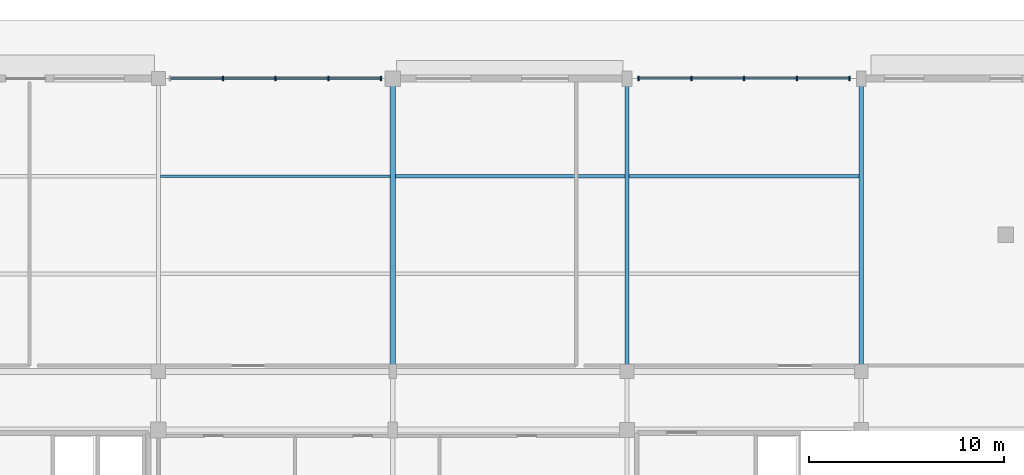
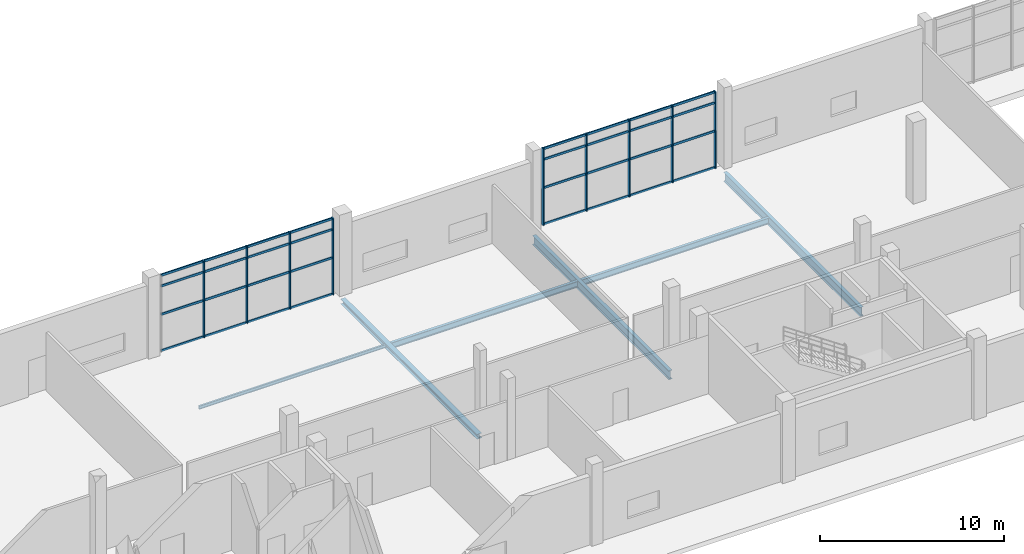
# One storey, part 43 of 85: 41 members, 6 beams, 2 elements without a shape of their own.
"""IFC4 building model written with IfcOpenShell, lengths in metres."""

from ifc_helpers import new_model, si_unit, direction, frame, origin, origin_2d, place, context, subcontext, project, spatial, rectangle, i_section, extrude, material, material_profile, profile_set, type_object, element, aggregate, save


model = new_model("IFC4")

# Units and contexts
model_context = context("Model", 3, precision=1e-05, world=origin(), true_north=direction((0.0, 1.0)))
body_context = subcontext(model_context, "Body", "Model", "MODEL_VIEW")
ifc_project = project(units=[si_unit("LENGTHUNIT", "METRE"), si_unit("AREAUNIT", "SQUARE_METRE"), si_unit("VOLUMEUNIT", "CUBIC_METRE"), si_unit("PLANEANGLEUNIT", "RADIAN"), si_unit("MASSUNIT", "GRAM", prefix="KILO"), si_unit("THERMODYNAMICTEMPERATUREUNIT", "KELVIN"), si_unit("POWERUNIT", "WATT")], contexts=[model_context])

# Site, building, storey
site_placement = place(None, origin())
site = spatial("IfcSite", under=ifc_project, at=site_placement, CompositionType="ELEMENT")
building_placement = place(site_placement, origin())
building = spatial("IfcBuilding", under=site, at=building_placement, Name="Solmara Park Aquatics Centre", CompositionType="ELEMENT")
storey_placement = place(building_placement, origin())
storey = spatial("IfcBuildingStorey", under=building, at=storey_placement, Name="L00", CompositionType="ELEMENT", Elevation=0.0)

# Curtain wall, members
ifc_material_1 = material(Name="Anodised Aluminium Curtain Wall Framing", Category="aluminium")
curtain_wall_type = type_object("IfcCurtainWallType", Name="ARC-CW-SYS04", PredefinedType="USERDEFINED", material=ifc_material_1)
curtain_wall_1_placement = place(storey_placement, origin())
curtain_wall_1 = element("IfcCurtainWall", 1, at=curtain_wall_1_placement, inside=storey, type_object=curtain_wall_type, Name="Curtain Wall CW-111", ObjectType="CURTAIN WALL", PredefinedType="USERDEFINED")
ifc_material_2 = material(Name="Anodised Aluminium Alloy 6063-T6", Category="aluminium")
ifc_material_profile_1 = material_profile(ifc_material_2, rectangle(XDim=0.074951171875, YDim=0.219970703125, at=origin_2d()), Name="ALU MULLION 75x220")
ifc_profile_set_1 = profile_set([ifc_material_profile_1], Name="Anodised Aluminium Alloy 6063-T6")
member_type_1 = type_object("IfcMemberType", Name="ARC-CWM-75x220", PredefinedType="MULLION", material=ifc_profile_set_1)
member_1_placement = place(storey_placement, frame((63.89990234375, 136.0, 0.0), z_axis=(0.0, 0.0, 1.0), x_axis=(1.0, 0.0, 0.0)))
member_1 = element("IfcMember", 2, at=member_1_placement, type_object=member_type_1, Name="CW-111 mullion 2", PredefinedType="MULLION", context=body_context, shape_type="SweptSolid", body=[
    extrude(rectangle(XDim=0.074951171875, YDim=0.219970703125, at=origin_2d()), origin(), (0.0, 0.0, 1.0), 5.080078125),
])
member_2_placement = place(storey_placement, frame((66.60009765625, 136.0, 0.0), z_axis=(0.0, 0.0, 1.0), x_axis=(1.0, 0.0, 0.0)))
member_2 = element("IfcMember", 3, at=member_2_placement, type_object=member_type_1, Name="CW-111 mullion 3", PredefinedType="MULLION", context=body_context, shape_type="SweptSolid", body=[
    extrude(rectangle(XDim=0.074951171875, YDim=0.219970703125, at=origin_2d()), origin(), (0.0, 0.0, 1.0), 5.080078125),
])
member_3_placement = place(storey_placement, frame((69.300048828125, 136.0, 0.0), z_axis=(0.0, 0.0, 1.0), x_axis=(1.0, 0.0, 0.0)))
member_3 = element("IfcMember", 4, at=member_3_placement, type_object=member_type_1, Name="CW-111 mullion 4", PredefinedType="MULLION", context=body_context, shape_type="SweptSolid", body=[
    extrude(rectangle(XDim=0.074951171875, YDim=0.219970703125, at=origin_2d()), origin(), (0.0, 0.0, 1.0), 5.080078125),
])
member_4_placement = place(storey_placement, frame((72.0, 136.0, 0.0), z_axis=(0.0, 0.0, 1.0), x_axis=(1.0, 0.0, 0.0)))
member_4 = element("IfcMember", 5, at=member_4_placement, type_object=member_type_1, Name="CW-111 mullion 5", PredefinedType="MULLION", context=body_context, shape_type="SweptSolid", body=[
    extrude(rectangle(XDim=0.074951171875, YDim=0.219970703125, at=origin_2d()), origin(), (0.0, 0.0, 1.0), 5.080078125),
])

curtain_wall_2_placement = place(storey_placement, origin())
curtain_wall_2 = element("IfcCurtainWall", 6, at=curtain_wall_2_placement, inside=storey, type_object=curtain_wall_type, Name="Curtain Wall CW-112", ObjectType="CURTAIN WALL", PredefinedType="USERDEFINED")
member_5_placement = place(storey_placement, frame((85.199951171875, 136.0, 0.0), z_axis=(0.0, 0.0, 1.0), x_axis=(1.0, 0.0, 0.0)))
member_5 = element("IfcMember", 7, at=member_5_placement, type_object=member_type_1, Name="CW-112 mullion 1", PredefinedType="MULLION", context=body_context, shape_type="SweptSolid", body=[
    extrude(rectangle(XDim=0.074951171875, YDim=0.219970703125, at=origin_2d()), origin(), (0.0, 0.0, 1.0), 5.080078125),
])
member_6_placement = place(storey_placement, frame((87.89990234375, 136.0, 0.0), z_axis=(0.0, 0.0, 1.0), x_axis=(1.0, 0.0, 0.0)))
member_6 = element("IfcMember", 8, at=member_6_placement, type_object=member_type_1, Name="CW-112 mullion 2", PredefinedType="MULLION", context=body_context, shape_type="SweptSolid", body=[
    extrude(rectangle(XDim=0.074951171875, YDim=0.219970703125, at=origin_2d()), origin(), (0.0, 0.0, 1.0), 5.080078125),
])
member_7_placement = place(storey_placement, frame((90.60009765625, 136.0, 0.0), z_axis=(0.0, 0.0, 1.0), x_axis=(1.0, 0.0, 0.0)))
member_7 = element("IfcMember", 9, at=member_7_placement, type_object=member_type_1, Name="CW-112 mullion 3", PredefinedType="MULLION", context=body_context, shape_type="SweptSolid", body=[
    extrude(rectangle(XDim=0.074951171875, YDim=0.219970703125, at=origin_2d()), origin(), (0.0, 0.0, 1.0), 5.080078125),
])
member_8_placement = place(storey_placement, frame((93.300048828125, 136.0, 0.0), z_axis=(0.0, 0.0, 1.0), x_axis=(1.0, 0.0, 0.0)))
member_8 = element("IfcMember", 10, at=member_8_placement, type_object=member_type_1, Name="CW-112 mullion 4", PredefinedType="MULLION", context=body_context, shape_type="SweptSolid", body=[
    extrude(rectangle(XDim=0.074951171875, YDim=0.219970703125, at=origin_2d()), origin(), (0.0, 0.0, 1.0), 5.080078125),
])
member_9_placement = place(storey_placement, frame((96.0, 136.0, 0.0), z_axis=(0.0, 0.0, 1.0), x_axis=(1.0, 0.0, 0.0)))
member_9 = element("IfcMember", 11, at=member_9_placement, type_object=member_type_1, Name="CW-112 mullion 5", PredefinedType="MULLION", context=body_context, shape_type="SweptSolid", body=[
    extrude(rectangle(XDim=0.074951171875, YDim=0.219970703125, at=origin_2d()), origin(), (0.0, 0.0, 1.0), 5.080078125),
])

# Member
ifc_material_profile_2 = material_profile(ifc_material_2, rectangle(XDim=0.074951171875, YDim=0.14990234375, at=origin_2d()), Name="ALU TRANSOM 75x150")
ifc_profile_set_2 = profile_set([ifc_material_profile_2], Name="Anodised Aluminium Alloy 6063-T6")
member_type_2 = type_object("IfcMemberType", Name="ARC-CWT-75x150", PredefinedType="USERDEFINED", material=ifc_profile_set_2)
member_10_placement = place(storey_placement, frame((61.219970703125, 136.0, 0.0400390625), z_axis=(1.0, 0.0, 0.0), x_axis=(0.0, 1.0, 0.0)))
member_10 = element("IfcMember", 12, at=member_10_placement, type_object=member_type_2, Name="CW-111 transom 1", ObjectType="TRANSOM", PredefinedType="USERDEFINED", context=body_context, shape_type="SweptSolid", body=[
    extrude(rectangle(XDim=0.074951171875, YDim=0.14990234375, at=origin_2d()), origin(), (0.0, 0.0, 1.0), 2.6201171875),
])

member_11_placement = place(storey_placement, frame((61.219970703125, 136.0, 2.449951171875), z_axis=(1.0, 0.0, 0.0), x_axis=(0.0, 1.0, 0.0)))
member_11 = element("IfcMember", 13, at=member_11_placement, type_object=member_type_2, Name="CW-111 transom 2", ObjectType="TRANSOM", PredefinedType="USERDEFINED", context=body_context, shape_type="SweptSolid", body=[
    extrude(rectangle(XDim=0.074951171875, YDim=0.14990234375, at=origin_2d()), origin(), (0.0, 0.0, 1.0), 2.6201171875),
])

member_12_placement = place(storey_placement, frame((61.219970703125, 136.0, 4.330078125), z_axis=(1.0, 0.0, 0.0), x_axis=(0.0, 1.0, 0.0)))
member_12 = element("IfcMember", 14, at=member_12_placement, type_object=member_type_2, Name="CW-111 transom 3", ObjectType="TRANSOM", PredefinedType="USERDEFINED", context=body_context, shape_type="SweptSolid", body=[
    extrude(rectangle(XDim=0.074951171875, YDim=0.14990234375, at=origin_2d()), origin(), (0.0, 0.0, 1.0), 2.6201171875),
])

member_13_placement = place(storey_placement, frame((61.219970703125, 136.0, 5.0400390625), z_axis=(1.0, 0.0, 0.0), x_axis=(0.0, 1.0, 0.0)))
member_13 = element("IfcMember", 15, at=member_13_placement, type_object=member_type_2, Name="CW-111 transom 4", ObjectType="TRANSOM", PredefinedType="USERDEFINED", context=body_context, shape_type="SweptSolid", body=[
    extrude(rectangle(XDim=0.074951171875, YDim=0.14990234375, at=origin_2d()), origin(), (0.0, 0.0, 1.0), 2.6201171875),
])

member_14_placement = place(storey_placement, frame((63.919921875, 136.0, 0.0400390625), z_axis=(1.0, 0.0, 0.0), x_axis=(0.0, 1.0, 0.0)))
member_14 = element("IfcMember", 16, at=member_14_placement, type_object=member_type_2, Name="CW-111 transom 5", ObjectType="TRANSOM", PredefinedType="USERDEFINED", context=body_context, shape_type="SweptSolid", body=[
    extrude(rectangle(XDim=0.074951171875, YDim=0.14990234375, at=origin_2d()), origin(), (0.0, 0.0, 1.0), 2.6201171875),
])

member_15_placement = place(storey_placement, frame((63.919921875, 136.0, 2.449951171875), z_axis=(1.0, 0.0, 0.0), x_axis=(0.0, 1.0, 0.0)))
member_15 = element("IfcMember", 17, at=member_15_placement, type_object=member_type_2, Name="CW-111 transom 6", ObjectType="TRANSOM", PredefinedType="USERDEFINED", context=body_context, shape_type="SweptSolid", body=[
    extrude(rectangle(XDim=0.074951171875, YDim=0.14990234375, at=origin_2d()), origin(), (0.0, 0.0, 1.0), 2.6201171875),
])

member_16_placement = place(storey_placement, frame((63.919921875, 136.0, 4.330078125), z_axis=(1.0, 0.0, 0.0), x_axis=(0.0, 1.0, 0.0)))
member_16 = element("IfcMember", 18, at=member_16_placement, type_object=member_type_2, Name="CW-111 transom 7", ObjectType="TRANSOM", PredefinedType="USERDEFINED", context=body_context, shape_type="SweptSolid", body=[
    extrude(rectangle(XDim=0.074951171875, YDim=0.14990234375, at=origin_2d()), origin(), (0.0, 0.0, 1.0), 2.6201171875),
])

member_17_placement = place(storey_placement, frame((63.919921875, 136.0, 5.0400390625), z_axis=(1.0, 0.0, 0.0), x_axis=(0.0, 1.0, 0.0)))
member_17 = element("IfcMember", 19, at=member_17_placement, type_object=member_type_2, Name="CW-111 transom 8", ObjectType="TRANSOM", PredefinedType="USERDEFINED", context=body_context, shape_type="SweptSolid", body=[
    extrude(rectangle(XDim=0.074951171875, YDim=0.14990234375, at=origin_2d()), origin(), (0.0, 0.0, 1.0), 2.6201171875),
])

member_18_placement = place(storey_placement, frame((66.6201171875, 136.0, 0.0400390625), z_axis=(1.0, 0.0, 0.0), x_axis=(0.0, 1.0, 0.0)))
member_18 = element("IfcMember", 20, at=member_18_placement, type_object=member_type_2, Name="CW-111 transom 9", ObjectType="TRANSOM", PredefinedType="USERDEFINED", context=body_context, shape_type="SweptSolid", body=[
    extrude(rectangle(XDim=0.074951171875, YDim=0.14990234375, at=origin_2d()), origin(), (0.0, 0.0, 1.0), 2.619873046875),
])

member_19_placement = place(storey_placement, frame((66.6201171875, 136.0, 2.449951171875), z_axis=(1.0, 0.0, 0.0), x_axis=(0.0, 1.0, 0.0)))
member_19 = element("IfcMember", 21, at=member_19_placement, type_object=member_type_2, Name="CW-111 transom 10", ObjectType="TRANSOM", PredefinedType="USERDEFINED", context=body_context, shape_type="SweptSolid", body=[
    extrude(rectangle(XDim=0.074951171875, YDim=0.14990234375, at=origin_2d()), origin(), (0.0, 0.0, 1.0), 2.619873046875),
])

member_20_placement = place(storey_placement, frame((66.6201171875, 136.0, 4.330078125), z_axis=(1.0, 0.0, 0.0), x_axis=(0.0, 1.0, 0.0)))
member_20 = element("IfcMember", 22, at=member_20_placement, type_object=member_type_2, Name="CW-111 transom 11", ObjectType="TRANSOM", PredefinedType="USERDEFINED", context=body_context, shape_type="SweptSolid", body=[
    extrude(rectangle(XDim=0.074951171875, YDim=0.14990234375, at=origin_2d()), origin(), (0.0, 0.0, 1.0), 2.619873046875),
])

member_21_placement = place(storey_placement, frame((66.6201171875, 136.0, 5.0400390625), z_axis=(1.0, 0.0, 0.0), x_axis=(0.0, 1.0, 0.0)))
member_21 = element("IfcMember", 23, at=member_21_placement, type_object=member_type_2, Name="CW-111 transom 12", ObjectType="TRANSOM", PredefinedType="USERDEFINED", context=body_context, shape_type="SweptSolid", body=[
    extrude(rectangle(XDim=0.074951171875, YDim=0.14990234375, at=origin_2d()), origin(), (0.0, 0.0, 1.0), 2.619873046875),
])

member_22_placement = place(storey_placement, frame((69.320068359375, 136.0, 0.0400390625), z_axis=(1.0, 0.0, 0.0), x_axis=(0.0, 1.0, 0.0)))
member_22 = element("IfcMember", 24, at=member_22_placement, type_object=member_type_2, Name="CW-111 transom 13", ObjectType="TRANSOM", PredefinedType="USERDEFINED", context=body_context, shape_type="SweptSolid", body=[
    extrude(rectangle(XDim=0.074951171875, YDim=0.14990234375, at=origin_2d()), origin(), (0.0, 0.0, 1.0), 2.619873046875),
])

member_23_placement = place(storey_placement, frame((69.320068359375, 136.0, 2.449951171875), z_axis=(1.0, 0.0, 0.0), x_axis=(0.0, 1.0, 0.0)))
member_23 = element("IfcMember", 25, at=member_23_placement, type_object=member_type_2, Name="CW-111 transom 14", ObjectType="TRANSOM", PredefinedType="USERDEFINED", context=body_context, shape_type="SweptSolid", body=[
    extrude(rectangle(XDim=0.074951171875, YDim=0.14990234375, at=origin_2d()), origin(), (0.0, 0.0, 1.0), 2.619873046875),
])

member_24_placement = place(storey_placement, frame((69.320068359375, 136.0, 4.330078125), z_axis=(1.0, 0.0, 0.0), x_axis=(0.0, 1.0, 0.0)))
member_24 = element("IfcMember", 26, at=member_24_placement, type_object=member_type_2, Name="CW-111 transom 15", ObjectType="TRANSOM", PredefinedType="USERDEFINED", context=body_context, shape_type="SweptSolid", body=[
    extrude(rectangle(XDim=0.074951171875, YDim=0.14990234375, at=origin_2d()), origin(), (0.0, 0.0, 1.0), 2.619873046875),
])

member_25_placement = place(storey_placement, frame((69.320068359375, 136.0, 5.0400390625), z_axis=(1.0, 0.0, 0.0), x_axis=(0.0, 1.0, 0.0)))
member_25 = element("IfcMember", 27, at=member_25_placement, type_object=member_type_2, Name="CW-111 transom 16", ObjectType="TRANSOM", PredefinedType="USERDEFINED", context=body_context, shape_type="SweptSolid", body=[
    extrude(rectangle(XDim=0.074951171875, YDim=0.14990234375, at=origin_2d()), origin(), (0.0, 0.0, 1.0), 2.619873046875),
])

aggregate(curtain_wall_1, [member_1, member_2, member_3, member_4, member_10, member_11, member_12, member_13, member_14, member_15, member_16, member_17, member_18, member_19, member_20, member_21, member_22, member_23, member_24, member_25])

member_26_placement = place(storey_placement, frame((85.219970703125, 136.0, 0.0400390625), z_axis=(1.0, 0.0, 0.0), x_axis=(0.0, 1.0, 0.0)))
member_26 = element("IfcMember", 28, at=member_26_placement, type_object=member_type_2, Name="CW-112 transom 1", ObjectType="TRANSOM", PredefinedType="USERDEFINED", context=body_context, shape_type="SweptSolid", body=[
    extrude(rectangle(XDim=0.074951171875, YDim=0.14990234375, at=origin_2d()), origin(), (0.0, 0.0, 1.0), 2.6201171875),
])

member_27_placement = place(storey_placement, frame((85.219970703125, 136.0, 2.449951171875), z_axis=(1.0, 0.0, 0.0), x_axis=(0.0, 1.0, 0.0)))
member_27 = element("IfcMember", 29, at=member_27_placement, type_object=member_type_2, Name="CW-112 transom 2", ObjectType="TRANSOM", PredefinedType="USERDEFINED", context=body_context, shape_type="SweptSolid", body=[
    extrude(rectangle(XDim=0.074951171875, YDim=0.14990234375, at=origin_2d()), origin(), (0.0, 0.0, 1.0), 2.6201171875),
])

member_28_placement = place(storey_placement, frame((85.219970703125, 136.0, 4.330078125), z_axis=(1.0, 0.0, 0.0), x_axis=(0.0, 1.0, 0.0)))
member_28 = element("IfcMember", 30, at=member_28_placement, type_object=member_type_2, Name="CW-112 transom 3", ObjectType="TRANSOM", PredefinedType="USERDEFINED", context=body_context, shape_type="SweptSolid", body=[
    extrude(rectangle(XDim=0.074951171875, YDim=0.14990234375, at=origin_2d()), origin(), (0.0, 0.0, 1.0), 2.6201171875),
])

member_29_placement = place(storey_placement, frame((85.219970703125, 136.0, 5.0400390625), z_axis=(1.0, 0.0, 0.0), x_axis=(0.0, 1.0, 0.0)))
member_29 = element("IfcMember", 31, at=member_29_placement, type_object=member_type_2, Name="CW-112 transom 4", ObjectType="TRANSOM", PredefinedType="USERDEFINED", context=body_context, shape_type="SweptSolid", body=[
    extrude(rectangle(XDim=0.074951171875, YDim=0.14990234375, at=origin_2d()), origin(), (0.0, 0.0, 1.0), 2.6201171875),
])

member_30_placement = place(storey_placement, frame((87.919921875, 136.0, 0.0400390625), z_axis=(1.0, 0.0, 0.0), x_axis=(0.0, 1.0, 0.0)))
member_30 = element("IfcMember", 32, at=member_30_placement, type_object=member_type_2, Name="CW-112 transom 5", ObjectType="TRANSOM", PredefinedType="USERDEFINED", context=body_context, shape_type="SweptSolid", body=[
    extrude(rectangle(XDim=0.074951171875, YDim=0.14990234375, at=origin_2d()), origin(), (0.0, 0.0, 1.0), 2.6201171875),
])

member_31_placement = place(storey_placement, frame((87.919921875, 136.0, 2.449951171875), z_axis=(1.0, 0.0, 0.0), x_axis=(0.0, 1.0, 0.0)))
member_31 = element("IfcMember", 33, at=member_31_placement, type_object=member_type_2, Name="CW-112 transom 6", ObjectType="TRANSOM", PredefinedType="USERDEFINED", context=body_context, shape_type="SweptSolid", body=[
    extrude(rectangle(XDim=0.074951171875, YDim=0.14990234375, at=origin_2d()), origin(), (0.0, 0.0, 1.0), 2.6201171875),
])

member_32_placement = place(storey_placement, frame((87.919921875, 136.0, 4.330078125), z_axis=(1.0, 0.0, 0.0), x_axis=(0.0, 1.0, 0.0)))
member_32 = element("IfcMember", 34, at=member_32_placement, type_object=member_type_2, Name="CW-112 transom 7", ObjectType="TRANSOM", PredefinedType="USERDEFINED", context=body_context, shape_type="SweptSolid", body=[
    extrude(rectangle(XDim=0.074951171875, YDim=0.14990234375, at=origin_2d()), origin(), (0.0, 0.0, 1.0), 2.6201171875),
])

member_33_placement = place(storey_placement, frame((87.919921875, 136.0, 5.0400390625), z_axis=(1.0, 0.0, 0.0), x_axis=(0.0, 1.0, 0.0)))
member_33 = element("IfcMember", 35, at=member_33_placement, type_object=member_type_2, Name="CW-112 transom 8", ObjectType="TRANSOM", PredefinedType="USERDEFINED", context=body_context, shape_type="SweptSolid", body=[
    extrude(rectangle(XDim=0.074951171875, YDim=0.14990234375, at=origin_2d()), origin(), (0.0, 0.0, 1.0), 2.6201171875),
])

member_34_placement = place(storey_placement, frame((90.6201171875, 136.0, 0.0400390625), z_axis=(1.0, 0.0, 0.0), x_axis=(0.0, 1.0, 0.0)))
member_34 = element("IfcMember", 36, at=member_34_placement, type_object=member_type_2, Name="CW-112 transom 9", ObjectType="TRANSOM", PredefinedType="USERDEFINED", context=body_context, shape_type="SweptSolid", body=[
    extrude(rectangle(XDim=0.074951171875, YDim=0.14990234375, at=origin_2d()), origin(), (0.0, 0.0, 1.0), 2.619873046875),
])

member_35_placement = place(storey_placement, frame((90.6201171875, 136.0, 2.449951171875), z_axis=(1.0, 0.0, 0.0), x_axis=(0.0, 1.0, 0.0)))
member_35 = element("IfcMember", 37, at=member_35_placement, type_object=member_type_2, Name="CW-112 transom 10", ObjectType="TRANSOM", PredefinedType="USERDEFINED", context=body_context, shape_type="SweptSolid", body=[
    extrude(rectangle(XDim=0.074951171875, YDim=0.14990234375, at=origin_2d()), origin(), (0.0, 0.0, 1.0), 2.619873046875),
])

member_36_placement = place(storey_placement, frame((90.6201171875, 136.0, 4.330078125), z_axis=(1.0, 0.0, 0.0), x_axis=(0.0, 1.0, 0.0)))
member_36 = element("IfcMember", 38, at=member_36_placement, type_object=member_type_2, Name="CW-112 transom 11", ObjectType="TRANSOM", PredefinedType="USERDEFINED", context=body_context, shape_type="SweptSolid", body=[
    extrude(rectangle(XDim=0.074951171875, YDim=0.14990234375, at=origin_2d()), origin(), (0.0, 0.0, 1.0), 2.619873046875),
])

member_37_placement = place(storey_placement, frame((90.6201171875, 136.0, 5.0400390625), z_axis=(1.0, 0.0, 0.0), x_axis=(0.0, 1.0, 0.0)))
member_37 = element("IfcMember", 39, at=member_37_placement, type_object=member_type_2, Name="CW-112 transom 12", ObjectType="TRANSOM", PredefinedType="USERDEFINED", context=body_context, shape_type="SweptSolid", body=[
    extrude(rectangle(XDim=0.074951171875, YDim=0.14990234375, at=origin_2d()), origin(), (0.0, 0.0, 1.0), 2.619873046875),
])

member_38_placement = place(storey_placement, frame((93.320068359375, 136.0, 0.0400390625), z_axis=(1.0, 0.0, 0.0), x_axis=(0.0, 1.0, 0.0)))
member_38 = element("IfcMember", 40, at=member_38_placement, type_object=member_type_2, Name="CW-112 transom 13", ObjectType="TRANSOM", PredefinedType="USERDEFINED", context=body_context, shape_type="SweptSolid", body=[
    extrude(rectangle(XDim=0.074951171875, YDim=0.14990234375, at=origin_2d()), origin(), (0.0, 0.0, 1.0), 2.619873046875),
])

member_39_placement = place(storey_placement, frame((93.320068359375, 136.0, 2.449951171875), z_axis=(1.0, 0.0, 0.0), x_axis=(0.0, 1.0, 0.0)))
member_39 = element("IfcMember", 41, at=member_39_placement, type_object=member_type_2, Name="CW-112 transom 14", ObjectType="TRANSOM", PredefinedType="USERDEFINED", context=body_context, shape_type="SweptSolid", body=[
    extrude(rectangle(XDim=0.074951171875, YDim=0.14990234375, at=origin_2d()), origin(), (0.0, 0.0, 1.0), 2.619873046875),
])

member_40_placement = place(storey_placement, frame((93.320068359375, 136.0, 4.330078125), z_axis=(1.0, 0.0, 0.0), x_axis=(0.0, 1.0, 0.0)))
member_40 = element("IfcMember", 42, at=member_40_placement, type_object=member_type_2, Name="CW-112 transom 15", ObjectType="TRANSOM", PredefinedType="USERDEFINED", context=body_context, shape_type="SweptSolid", body=[
    extrude(rectangle(XDim=0.074951171875, YDim=0.14990234375, at=origin_2d()), origin(), (0.0, 0.0, 1.0), 2.619873046875),
])

member_41_placement = place(storey_placement, frame((93.320068359375, 136.0, 5.0400390625), z_axis=(1.0, 0.0, 0.0), x_axis=(0.0, 1.0, 0.0)))
member_41 = element("IfcMember", 43, at=member_41_placement, type_object=member_type_2, Name="CW-112 transom 16", ObjectType="TRANSOM", PredefinedType="USERDEFINED", context=body_context, shape_type="SweptSolid", body=[
    extrude(rectangle(XDim=0.074951171875, YDim=0.14990234375, at=origin_2d()), origin(), (0.0, 0.0, 1.0), 2.619873046875),
])

aggregate(curtain_wall_2, [member_5, member_6, member_7, member_8, member_9, member_26, member_27, member_28, member_29, member_30, member_31, member_32, member_33, member_34, member_35, member_36, member_37, member_38, member_39, member_40, member_41])

# Beams
ifc_material_3 = material(Name="Structural Steel S355", Category="steel")
ifc_material_profile_3 = material_profile(ifc_material_3, i_section(OverallWidth=0.300048828125, OverallDepth=0.330078125, WebThickness=0.009521484375, FlangeThickness=0.0166015625, FilletRadius=0.027099609375, at=origin_2d()), Name="HEA 340")
ifc_profile_set_3 = profile_set([ifc_material_profile_3], Name="Structural Steel S355")
beam_type_1 = type_object("IfcBeamType", Name="STR-BM-HEA340", PredefinedType="BEAM", material=ifc_profile_set_3)
beam_1_placement = place(storey_placement, frame((72.60009765625, 121.080078125, -0.5849609375), z_axis=(0.0, 1.0, 0.0), x_axis=(-1.0, 0.0, 0.0)))
element("IfcBeam", 44, at=beam_1_placement, inside=storey, type_object=beam_type_1, Name="Girder BM-L00-0154", PredefinedType="BEAM", context=body_context, shape_type="SweptSolid", body=[
    extrude(i_section(OverallWidth=0.300048828125, OverallDepth=0.330078125, WebThickness=0.009521484375, FlangeThickness=0.0166015625, FilletRadius=0.027099609375, at=origin_2d()), origin(), (0.0, 0.0, 1.0), 14.83984375),
])
ifc_material_profile_4 = material_profile(ifc_material_3, i_section(OverallWidth=0.219970703125, OverallDepth=0.60009765625, WebThickness=0.011962890625, FlangeThickness=0.01904296875, FilletRadius=0.02392578125, at=origin_2d()), Name="IPE 600")
ifc_profile_set_4 = profile_set([ifc_material_profile_4], Name="Structural Steel S355")
beam_type_2 = type_object("IfcBeamType", Name="STR-BM-IPE600", PredefinedType="BEAM", material=ifc_profile_set_4)
for number, where, z_axis, x_axis, name in (
    (45, (84.60009765625, 121.080078125, -0.719970703125), (0.0, 1.0, 0.0), (-1.0, 0.0, 0.0), "Girder BM-L00-0157"),
    (46, (96.60009765625, 121.080078125, -0.719970703125), (0.0, 1.0, 0.0), (-1.0, 0.0, 0.0), "Girder BM-L00-0160"),
):
    element("IfcBeam", number, at=place(storey_placement, frame(where, z_axis=z_axis, x_axis=x_axis)), inside=storey, type_object=beam_type_2, Name=name, PredefinedType="BEAM", context=body_context, shape_type="SweptSolid", body=[
        extrude(i_section(OverallWidth=0.219970703125, OverallDepth=0.60009765625, WebThickness=0.011962890625, FlangeThickness=0.01904296875, FilletRadius=0.02392578125, at=origin_2d()), origin(), (0.0, 0.0, 1.0), 14.83984375),
    ])
ifc_material_profile_5 = material_profile(ifc_material_3, i_section(OverallWidth=0.110107421875, OverallDepth=0.219970703125, WebThickness=0.005859375, FlangeThickness=0.00927734375, FilletRadius=0.011962890625, at=origin_2d()), Name="IPE 220")
ifc_profile_set_5 = profile_set([ifc_material_profile_5], Name="Structural Steel S355")
beam_type_3 = type_object("IfcBeamType", Name="STR-JST-IPE220", PredefinedType="JOIST", material=ifc_profile_set_5)
beam_2_placement = place(storey_placement, frame((60.7099609375, 131.0, -0.530029296875), z_axis=(1.0, 0.0, 0.0), x_axis=(0.0, 1.0, 0.0)))
element("IfcBeam", 47, at=beam_2_placement, inside=storey, type_object=beam_type_3, Name="Floor Joist JST-L00-0089", PredefinedType="JOIST", context=body_context, shape_type="SweptSolid", body=[
    extrude(i_section(OverallWidth=0.110107421875, OverallDepth=0.219970703125, WebThickness=0.005859375, FlangeThickness=0.00927734375, FilletRadius=0.011962890625, at=origin_2d()), origin(), (0.0, 0.0, 1.0), 11.739990234375),
])
ifc_material_profile_6 = material_profile(ifc_material_3, i_section(OverallWidth=0.179931640625, OverallDepth=0.39990234375, WebThickness=0.008544921875, FlangeThickness=0.013427734375, FilletRadius=0.02099609375, at=origin_2d()), Name="IPE 400")
ifc_profile_set_6 = profile_set([ifc_material_profile_6], Name="Structural Steel S355")
beam_type_4 = type_object("IfcBeamType", Name="STR-JST-IPE400", PredefinedType="JOIST", material=ifc_profile_set_6)
beam_3_placement = place(storey_placement, frame((72.75, 131.0, -0.6201171875), z_axis=(1.0, 0.0, 0.0), x_axis=(0.0, 1.0, 0.0)))
element("IfcBeam", 48, at=beam_3_placement, inside=storey, type_object=beam_type_4, Name="Floor Joist JST-L00-0093", PredefinedType="JOIST", context=body_context, shape_type="SweptSolid", body=[
    extrude(i_section(OverallWidth=0.179931640625, OverallDepth=0.39990234375, WebThickness=0.008544921875, FlangeThickness=0.013427734375, FilletRadius=0.02099609375, at=origin_2d()), origin(), (0.0, 0.0, 1.0), 11.739990234375),
])
beam_4_placement = place(storey_placement, frame((84.7099609375, 131.0, -0.6201171875), z_axis=(1.0, 0.0, 0.0), x_axis=(0.0, 1.0, 0.0)))
element("IfcBeam", 49, at=beam_4_placement, inside=storey, type_object=beam_type_4, Name="Floor Joist JST-L00-0096", PredefinedType="JOIST", context=body_context, shape_type="SweptSolid", body=[
    extrude(i_section(OverallWidth=0.179931640625, OverallDepth=0.39990234375, WebThickness=0.008544921875, FlangeThickness=0.013427734375, FilletRadius=0.02099609375, at=origin_2d()), origin(), (0.0, 0.0, 1.0), 11.780029296875),
])

save(model, "model.ifc")
